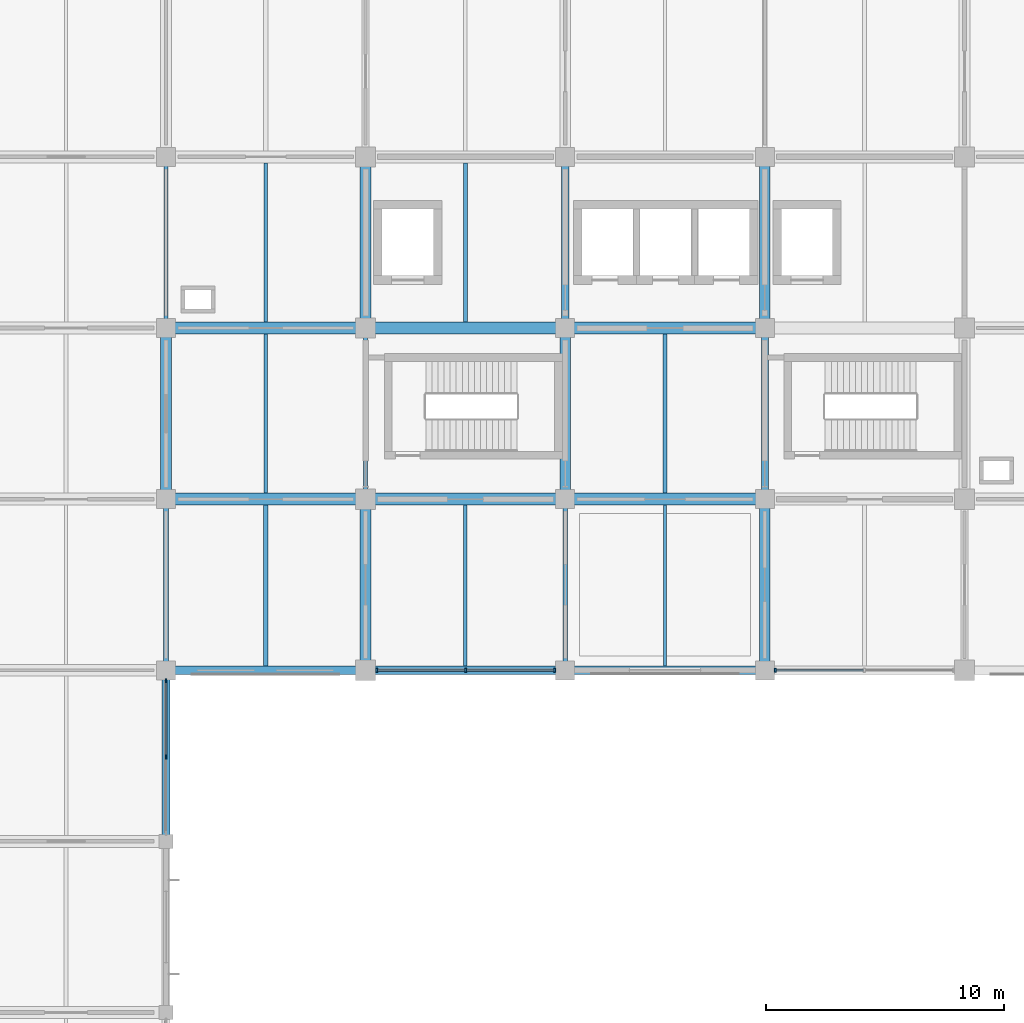
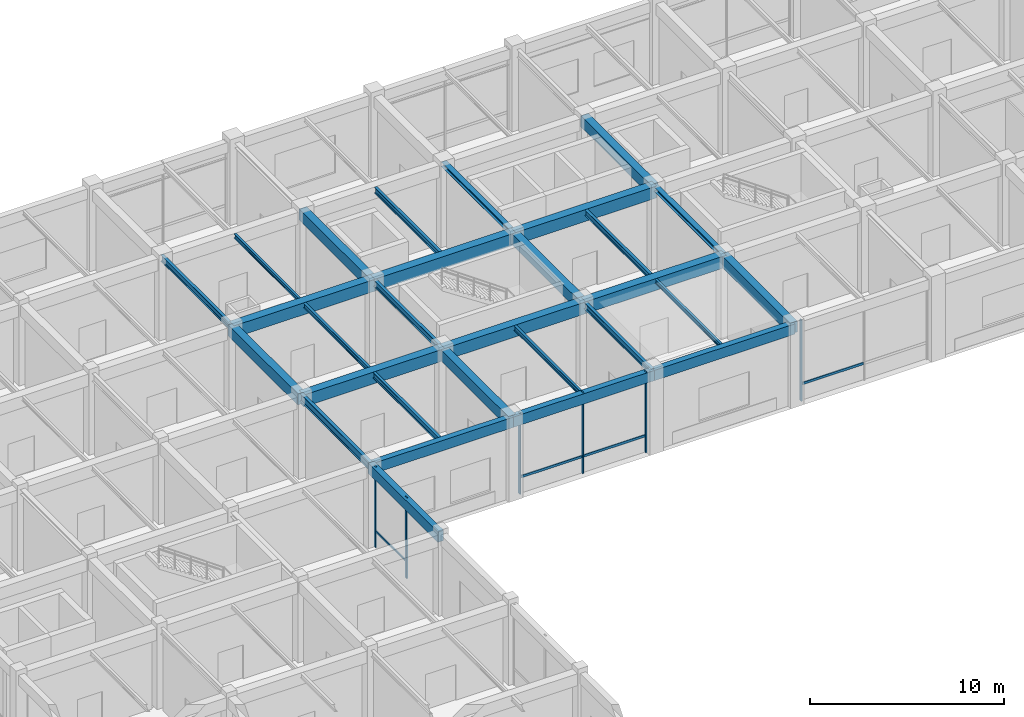
# One storey, part 8 of 38: 29 beams, 10 members, 3 elements without a shape of their own.
"""IFC4 building model written with IfcOpenShell, lengths in metres."""

from ifc_helpers import new_model, si_unit, derived_unit, direction, frame, origin, origin_2d, place, context, subcontext, project, spatial, rectangle, i_section, extrude, material, material_profile, profile_set, type_object, element, aggregate, save


model = new_model("IFC4")

# Units and contexts
model_context = context("Model", 3, precision=1e-05, world=origin(), true_north=direction((0.0, 1.0)))
body_context = subcontext(model_context, "Body", "Model", "MODEL_VIEW")
ifc_project = project(units=[si_unit("LENGTHUNIT", "METRE"), si_unit("AREAUNIT", "SQUARE_METRE"), si_unit("VOLUMEUNIT", "CUBIC_METRE"), si_unit("PLANEANGLEUNIT", "RADIAN"), si_unit("MASSUNIT", "GRAM", prefix="KILO"), derived_unit("THERMALTRANSMITTANCEUNIT", [(si_unit("MASSUNIT", "GRAM", prefix="KILO"), 1), (si_unit("TIMEUNIT", "SECOND"), -3), (si_unit("THERMODYNAMICTEMPERATUREUNIT", "KELVIN"), -1)])], contexts=[model_context])

# Site, building, storey
site_placement = place(None, origin())
site = spatial("IfcSite", under=ifc_project, at=site_placement, CompositionType="ELEMENT")
building_placement = place(site_placement, origin())
building = spatial("IfcBuilding", under=site, at=building_placement, Name="Veldstrom Oceanarium and Marine Research Institute", CompositionType="ELEMENT")
storey_placement = place(building_placement, frame((0.0, 0.0, 11.39990234375)))
storey = spatial("IfcBuildingStorey", under=building, at=storey_placement, Name="L02", CompositionType="ELEMENT", Elevation=11.39990234375)

# Curtain wall, members
ifc_material_1 = material(Name="Anodised Aluminium Framing", Category="aluminium")
curtain_wall_type_1 = type_object("IfcCurtainWallType", Name="ARC-CW-CW06", PredefinedType="USERDEFINED", material=ifc_material_1)
curtain_wall_1_placement = place(storey_placement, origin())
curtain_wall_1 = element("IfcCurtainWall", 1, at=curtain_wall_1_placement, inside=storey, type_object=curtain_wall_type_1, Name="Curtain Wall CW06 CW-L02-029", ObjectType="Curtain wall", PredefinedType="USERDEFINED")
ifc_material_2 = material(Name="Anodised Aluminium Framing", Category="aluminium")
ifc_material_profile_1 = material_profile(ifc_material_2, rectangle(XDim=0.074951171875, YDim=0.179931640625, at=origin_2d()), Name="ALU-MUL-75x180")
ifc_profile_set_1 = profile_set([ifc_material_profile_1], Name="Anodised Aluminium Framing")
member_type_1 = type_object("IfcMemberType", Name="ARC-MUL-ML1", PredefinedType="MULLION", material=ifc_profile_set_1)
member_1_placement = place(storey_placement, frame((67.199951171875, 39.550048828125, 0.0), z_axis=(0.0, 0.0, 1.0), x_axis=(1.0, 0.0, 0.0)))
member_1 = element("IfcMember", 2, at=member_1_placement, type_object=member_type_1, Name="Curtain Wall Mullion CW-L02-029-MUL-2", PredefinedType="MULLION", context=body_context, shape_type="SweptSolid", body=[
    extrude(rectangle(XDim=0.074951171875, YDim=0.179931640625, at=origin_2d()), origin(), (0.0, 0.0, 1.0), 5.10009765625),
])
member_2_placement = place(storey_placement, frame((67.199951171875, 42.760009765625, 0.0), z_axis=(0.0, 0.0, 1.0), x_axis=(1.0, 0.0, 0.0)))
member_2 = element("IfcMember", 3, at=member_2_placement, type_object=member_type_1, Name="Curtain Wall Mullion CW-L02-029-MUL-3", PredefinedType="MULLION", context=body_context, shape_type="SweptSolid", body=[
    extrude(rectangle(XDim=0.074951171875, YDim=0.179931640625, at=origin_2d()), origin(), (0.0, 0.0, 1.0), 5.10009765625),
])

ifc_material_3 = material(Name="Anodised Aluminium Framing", Category="aluminium")
curtain_wall_type_2 = type_object("IfcCurtainWallType", Name="ARC-CW-CW02", PredefinedType="USERDEFINED", material=ifc_material_3)
curtain_wall_2_placement = place(storey_placement, origin())
curtain_wall_2 = element("IfcCurtainWall", 4, at=curtain_wall_2_placement, inside=storey, type_object=curtain_wall_type_2, Name="Curtain Wall CW02 CW-L02-031", ObjectType="Curtain wall", PredefinedType="USERDEFINED")
member_3_placement = place(storey_placement, frame((76.06494140625, 43.199951171875, 0.0), z_axis=(0.0, 0.0, 1.0), x_axis=(1.0, 0.0, 0.0)))
member_3 = element("IfcMember", 5, at=member_3_placement, type_object=member_type_1, Name="Curtain Wall Mullion CW-L02-031-MUL-1", PredefinedType="MULLION", context=body_context, shape_type="SweptSolid", body=[
    extrude(rectangle(XDim=0.074951171875, YDim=0.179931640625, at=origin_2d()), origin(), (0.0, 0.0, 1.0), 5.10009765625),
])
member_4_placement = place(storey_placement, frame((79.8125, 43.199951171875, 0.0), z_axis=(0.0, 0.0, 1.0), x_axis=(1.0, 0.0, 0.0)))
member_4 = element("IfcMember", 6, at=member_4_placement, type_object=member_type_1, Name="Curtain Wall Mullion CW-L02-031-MUL-2", PredefinedType="MULLION", context=body_context, shape_type="SweptSolid", body=[
    extrude(rectangle(XDim=0.074951171875, YDim=0.179931640625, at=origin_2d()), origin(), (0.0, 0.0, 1.0), 5.10009765625),
])
member_5_placement = place(storey_placement, frame((83.56005859375, 43.199951171875, 0.0), z_axis=(0.0, 0.0, 1.0), x_axis=(1.0, 0.0, 0.0)))
member_5 = element("IfcMember", 7, at=member_5_placement, type_object=member_type_1, Name="Curtain Wall Mullion CW-L02-031-MUL-3", PredefinedType="MULLION", context=body_context, shape_type="SweptSolid", body=[
    extrude(rectangle(XDim=0.074951171875, YDim=0.179931640625, at=origin_2d()), origin(), (0.0, 0.0, 1.0), 5.10009765625),
])

# Curtain wall, member
curtain_wall_3_placement = place(storey_placement, origin())
curtain_wall_3 = element("IfcCurtainWall", 8, at=curtain_wall_3_placement, inside=storey, type_object=curtain_wall_type_2, Name="Curtain Wall CW02 CW-L02-033", ObjectType="Curtain wall", PredefinedType="USERDEFINED")
member_6_placement = place(storey_placement, frame((92.840087890625, 43.199951171875, 0.0), z_axis=(0.0, 0.0, 1.0), x_axis=(1.0, 0.0, 0.0)))
member_6 = element("IfcMember", 9, at=member_6_placement, type_object=member_type_1, Name="Curtain Wall Mullion CW-L02-033-MUL-1", PredefinedType="MULLION", context=body_context, shape_type="SweptSolid", body=[
    extrude(rectangle(XDim=0.074951171875, YDim=0.179931640625, at=origin_2d()), origin(), (0.0, 0.0, 1.0), 5.10009765625),
])

# Member
ifc_material_4 = material(Name="Anodised Aluminium Framing", Category="aluminium")
ifc_material_profile_2 = material_profile(ifc_material_4, rectangle(XDim=0.074951171875, YDim=0.14990234375, at=origin_2d()), Name="ALU-TRN-75x150")
ifc_profile_set_2 = profile_set([ifc_material_profile_2], Name="Anodised Aluminium Framing")
member_type_2 = type_object("IfcMemberType", Name="ARC-TRN-TR1", PredefinedType="USERDEFINED", material=ifc_profile_set_2)
member_7_placement = place(storey_placement, frame((76.10498046875, 43.199951171875, 1.050048828125), z_axis=(1.0, 0.0, 0.0), x_axis=(0.0, 1.0, 0.0)))
member_7 = element("IfcMember", 10, at=member_7_placement, type_object=member_type_2, Name="Curtain Wall Transom CW-L02-031-TRN-1", ObjectType="Transom", PredefinedType="USERDEFINED", context=body_context, shape_type="SweptSolid", body=[
    extrude(rectangle(XDim=0.074951171875, YDim=0.14990234375, at=origin_2d()), origin(), (0.0, 0.0, 1.0), 3.66748046875),
])

member_8_placement = place(storey_placement, frame((79.8525390625, 43.199951171875, 1.050048828125), z_axis=(1.0, 0.0, 0.0), x_axis=(0.0, 1.0, 0.0)))
member_8 = element("IfcMember", 11, at=member_8_placement, type_object=member_type_2, Name="Curtain Wall Transom CW-L02-031-TRN-2", ObjectType="Transom", PredefinedType="USERDEFINED", context=body_context, shape_type="SweptSolid", body=[
    extrude(rectangle(XDim=0.074951171875, YDim=0.14990234375, at=origin_2d()), origin(), (0.0, 0.0, 1.0), 3.66748046875),
])

aggregate(curtain_wall_2, [member_3, member_4, member_5, member_7, member_8])

member_9_placement = place(storey_placement, frame((92.8798828125, 43.199951171875, 1.050048828125), z_axis=(1.0, 0.0, 0.0), x_axis=(0.0, 1.0, 0.0)))
member_9 = element("IfcMember", 12, at=member_9_placement, type_object=member_type_2, Name="Curtain Wall Transom CW-L02-033-TRN-1", ObjectType="Transom", PredefinedType="USERDEFINED", context=body_context, shape_type="SweptSolid", body=[
    extrude(rectangle(XDim=0.074951171875, YDim=0.14990234375, at=origin_2d()), origin(), (0.0, 0.0, 1.0), 3.667724609375),
])

aggregate(curtain_wall_3, [member_6, member_9])

ifc_material_5 = material(Name="Anodised Aluminium Framing", Category="aluminium")
ifc_material_profile_3 = material_profile(ifc_material_5, rectangle(XDim=0.06494140625, YDim=0.1201171875, at=origin_2d()), Name="ALU-TRN-65x120")
ifc_profile_set_3 = profile_set([ifc_material_profile_3], Name="Anodised Aluminium Framing")
member_type_3 = type_object("IfcMemberType", Name="ARC-TRN-TR2", PredefinedType="USERDEFINED", material=ifc_profile_set_3)
member_10_placement = place(storey_placement, frame((67.199951171875, 39.590087890625, 1.050048828125), z_axis=(0.0, 1.0, 0.0), x_axis=(-1.0, 0.0, 0.0)))
member_10 = element("IfcMember", 13, at=member_10_placement, type_object=member_type_3, Name="Curtain Wall Transom CW-L02-029-TRN-2", ObjectType="Transom", PredefinedType="USERDEFINED", context=body_context, shape_type="SweptSolid", body=[
    extrude(rectangle(XDim=0.06494140625, YDim=0.1201171875, at=origin_2d()), origin(), (0.0, 0.0, 1.0), 3.1298828125),
])

aggregate(curtain_wall_1, [member_1, member_2, member_10])

# Beams
ifc_material_6 = material(Name="Concrete C40/50", Category="concrete")
ifc_material_profile_4 = material_profile(ifc_material_6, rectangle(XDim=0.5, YDim=0.75, at=origin_2d()), Name="RC-BM-500x750")
ifc_profile_set_4 = profile_set([ifc_material_profile_4], Name="Concrete C40/50")
beam_type_1 = type_object("IfcBeamType", Name="STR-BM-B03", PredefinedType="BEAM", material=ifc_profile_set_4)
for number, where, z_axis, x_axis, name in (
    (14, (67.199951171875, 50.39990234375, 4.72021484375), (1.0, 0.0, 0.0), (0.0, 1.0, 0.0), "Primary Beam B03 L02-1553"),
    (15, (67.199951171875, 57.60009765625, 4.72021484375), (1.0, 0.0, 0.0), (0.0, 1.0, 0.0), "Primary Beam B03 L02-1554"),
):
    element("IfcBeam", number, at=place(storey_placement, frame(where, z_axis=z_axis, x_axis=x_axis)), inside=storey, type_object=beam_type_1, Name=name, PredefinedType="BEAM", context=body_context, shape_type="SweptSolid", body=[
        extrude(rectangle(XDim=0.5, YDim=0.75, at=origin_2d()), origin(), (0.0, 0.0, 1.0), 8.400146484375),
    ])
for number, where, z_axis, x_axis, name in (
    (16, (75.60009765625, 50.39990234375, 4.72021484375), (1.0, 0.0, 0.0), (0.0, 1.0, 0.0), "Primary Beam B03 L02-1558"),
    (17, (75.60009765625, 57.60009765625, 4.72021484375), (1.0, 0.0, 0.0), (0.0, 1.0, 0.0), "Primary Beam B03 L02-1559"),
    (18, (84.0, 50.39990234375, 4.72021484375), (1.0, 0.0, 0.0), (0.0, 1.0, 0.0), "Primary Beam B03 L02-1563"),
    (19, (84.0, 57.60009765625, 4.72021484375), (1.0, 0.0, 0.0), (0.0, 1.0, 0.0), "Primary Beam B03 L02-1564"),
):
    element("IfcBeam", number, at=place(storey_placement, frame(where, z_axis=z_axis, x_axis=x_axis)), inside=storey, type_object=beam_type_1, Name=name, PredefinedType="BEAM", context=body_context, shape_type="SweptSolid", body=[
        extrude(rectangle(XDim=0.5, YDim=0.75, at=origin_2d()), origin(), (0.0, 0.0, 1.0), 8.39990234375),
    ])
ifc_material_7 = material(Name="Concrete C40/50", Category="concrete")
ifc_material_profile_5 = material_profile(ifc_material_7, rectangle(XDim=0.449951171875, YDim=0.699951171875, at=origin_2d()), Name="RC-BM-450x700")
ifc_profile_set_5 = profile_set([ifc_material_profile_5], Name="Concrete C40/50")
beam_type_2 = type_object("IfcBeamType", Name="STR-BM-B04", PredefinedType="BEAM", material=ifc_profile_set_5)
beam_1_placement = place(storey_placement, frame((67.199951171875, 50.39990234375, 4.7451171875), z_axis=(0.0, 1.0, 0.0), x_axis=(-1.0, 0.0, 0.0)))
element("IfcBeam", 20, at=beam_1_placement, inside=storey, type_object=beam_type_2, Name="Primary Beam B04 L02-1682", PredefinedType="BEAM", context=body_context, shape_type="SweptSolid", body=[
    extrude(rectangle(XDim=0.449951171875, YDim=0.699951171875, at=origin_2d()), origin(), (0.0, 0.0, 1.0), 7.2001953125),
])
for number, where, z_axis, x_axis, name in (
    (21, (75.60009765625, 43.199951171875, 4.7451171875), (0.0, 1.0, 0.0), (-1.0, 0.0, 0.0), "Primary Beam B04 L02-1685"),
    (22, (75.60009765625, 57.60009765625, 4.7451171875), (0.0, 1.0, 0.0), (-1.0, 0.0, 0.0), "Primary Beam B04 L02-1687"),
):
    element("IfcBeam", number, at=place(storey_placement, frame(where, z_axis=z_axis, x_axis=x_axis)), inside=storey, type_object=beam_type_2, Name=name, PredefinedType="BEAM", context=body_context, shape_type="SweptSolid", body=[
        extrude(rectangle(XDim=0.449951171875, YDim=0.699951171875, at=origin_2d()), origin(), (0.0, 0.0, 1.0), 7.199951171875),
    ])
beam_2_placement = place(storey_placement, frame((84.0, 50.39990234375, 4.7451171875), z_axis=(0.0, 1.0, 0.0), x_axis=(-1.0, 0.0, 0.0)))
element("IfcBeam", 23, at=beam_2_placement, inside=storey, type_object=beam_type_2, Name="Primary Beam B04 L02-1690", PredefinedType="BEAM", context=body_context, shape_type="SweptSolid", body=[
    extrude(rectangle(XDim=0.449951171875, YDim=0.699951171875, at=origin_2d()), origin(), (0.0, 0.0, 1.0), 7.2001953125),
])
for number, where, z_axis, x_axis, name in (
    (24, (92.39990234375, 43.199951171875, 4.7451171875), (0.0, 1.0, 0.0), (-1.0, 0.0, 0.0), "Primary Beam B04 L02-1693"),
    (25, (92.39990234375, 57.60009765625, 4.7451171875), (0.0, 1.0, 0.0), (-1.0, 0.0, 0.0), "Primary Beam B04 L02-1695"),
):
    element("IfcBeam", number, at=place(storey_placement, frame(where, z_axis=z_axis, x_axis=x_axis)), inside=storey, type_object=beam_type_2, Name=name, PredefinedType="BEAM", context=body_context, shape_type="SweptSolid", body=[
        extrude(rectangle(XDim=0.449951171875, YDim=0.699951171875, at=origin_2d()), origin(), (0.0, 0.0, 1.0), 7.199951171875),
    ])
ifc_material_8 = material(Name="Steel S355JR", Category="steel")
ifc_material_profile_6 = material_profile(ifc_material_8, i_section(OverallWidth=0.300048828125, OverallDepth=0.2900390625, WebThickness=0.008544921875, FlangeThickness=0.013916015625, FilletRadius=0.027099609375, at=origin_2d()), Name="HEA 300")
ifc_profile_set_6 = profile_set([ifc_material_profile_6], Name="Steel S355JR")
beam_type_3 = type_object("IfcBeamType", Name="STR-BM-SB10", PredefinedType="BEAM", material=ifc_profile_set_6)
beam_3_placement = place(storey_placement, frame((84.0, 57.60009765625, 4.9501953125), z_axis=(0.0, 1.0, 0.0), x_axis=(-1.0, 0.0, 0.0)))
element("IfcBeam", 26, at=beam_3_placement, inside=storey, type_object=beam_type_3, Name="Steel Tie Beam SB10 L02-1691", PredefinedType="BEAM", context=body_context, shape_type="SweptSolid", body=[
    extrude(i_section(OverallWidth=0.300048828125, OverallDepth=0.2900390625, WebThickness=0.008544921875, FlangeThickness=0.013916015625, FilletRadius=0.027099609375, at=origin_2d()), origin(), (0.0, 0.0, 1.0), 7.199951171875),
])
beam_4_placement = place(storey_placement, frame((92.39990234375, 50.39990234375, 4.9501953125), z_axis=(0.0, 1.0, 0.0), x_axis=(-1.0, 0.0, 0.0)))
element("IfcBeam", 27, at=beam_4_placement, inside=storey, type_object=beam_type_3, Name="Steel Tie Beam SB10 L02-1694", PredefinedType="BEAM", context=body_context, shape_type="SweptSolid", body=[
    extrude(i_section(OverallWidth=0.300048828125, OverallDepth=0.2900390625, WebThickness=0.008544921875, FlangeThickness=0.013916015625, FilletRadius=0.027099609375, at=origin_2d()), origin(), (0.0, 0.0, 1.0), 7.2001953125),
])
ifc_material_9 = material(Name="Steel S355JR", Category="steel")
ifc_material_profile_7 = material_profile(ifc_material_9, i_section(OverallWidth=0.199951171875, OverallDepth=0.5, WebThickness=0.01025390625, FlangeThickness=0.01611328125, FilletRadius=0.02099609375, at=origin_2d()), Name="IPE 500")
ifc_profile_set_7 = profile_set([ifc_material_profile_7], Name="Steel S355JR")
beam_type_4 = type_object("IfcBeamType", Name="STR-BM-SB6", PredefinedType="BEAM", material=ifc_profile_set_7)
beam_5_placement = place(storey_placement, frame((67.199951171875, 43.199951171875, 4.84521484375), z_axis=(0.0, 1.0, 0.0), x_axis=(-1.0, 0.0, 0.0)))
element("IfcBeam", 28, at=beam_5_placement, inside=storey, type_object=beam_type_4, Name="Steel Tie Beam SB6 L02-1681", PredefinedType="BEAM", context=body_context, shape_type="SweptSolid", body=[
    extrude(i_section(OverallWidth=0.199951171875, OverallDepth=0.5, WebThickness=0.01025390625, FlangeThickness=0.01611328125, FilletRadius=0.02099609375, at=origin_2d()), origin(), (0.0, 0.0, 1.0), 7.199951171875),
])
ifc_material_10 = material(Name="Steel S355JR", Category="steel")
ifc_material_profile_8 = material_profile(ifc_material_10, i_section(OverallWidth=0.179931640625, OverallDepth=0.39990234375, WebThickness=0.008544921875, FlangeThickness=0.013427734375, FilletRadius=0.02099609375, at=origin_2d()), Name="IPE 400")
ifc_profile_set_8 = profile_set([ifc_material_profile_8], Name="Steel S355JR")
beam_type_5 = type_object("IfcBeamType", Name="STR-BM-SB8", PredefinedType="BEAM", material=ifc_profile_set_8)
beam_6_placement = place(storey_placement, frame((67.199951171875, 57.60009765625, 4.89501953125), z_axis=(0.0, 1.0, 0.0), x_axis=(-1.0, 0.0, 0.0)))
element("IfcBeam", 29, at=beam_6_placement, inside=storey, type_object=beam_type_5, Name="Steel Tie Beam SB8 L02-1683", PredefinedType="BEAM", context=body_context, shape_type="SweptSolid", body=[
    extrude(i_section(OverallWidth=0.179931640625, OverallDepth=0.39990234375, WebThickness=0.008544921875, FlangeThickness=0.013427734375, FilletRadius=0.02099609375, at=origin_2d()), origin(), (0.0, 0.0, 1.0), 7.199951171875),
])
beam_7_placement = place(storey_placement, frame((75.60009765625, 50.39990234375, 4.89501953125), z_axis=(0.0, 1.0, 0.0), x_axis=(-1.0, 0.0, 0.0)))
element("IfcBeam", 30, at=beam_7_placement, inside=storey, type_object=beam_type_5, Name="Steel Tie Beam SB8 L02-1686", PredefinedType="BEAM", context=body_context, shape_type="SweptSolid", body=[
    extrude(i_section(OverallWidth=0.179931640625, OverallDepth=0.39990234375, WebThickness=0.008544921875, FlangeThickness=0.013427734375, FilletRadius=0.02099609375, at=origin_2d()), origin(), (0.0, 0.0, 1.0), 7.2001953125),
])
beam_8_placement = place(storey_placement, frame((84.0, 43.199951171875, 4.89501953125), z_axis=(0.0, 1.0, 0.0), x_axis=(-1.0, 0.0, 0.0)))
element("IfcBeam", 31, at=beam_8_placement, inside=storey, type_object=beam_type_5, Name="Steel Tie Beam SB8 L02-1689", PredefinedType="BEAM", context=body_context, shape_type="SweptSolid", body=[
    extrude(i_section(OverallWidth=0.179931640625, OverallDepth=0.39990234375, WebThickness=0.008544921875, FlangeThickness=0.013427734375, FilletRadius=0.02099609375, at=origin_2d()), origin(), (0.0, 0.0, 1.0), 7.199951171875),
])
ifc_material_11 = material(Name="Steel S355JR", Category="steel")
ifc_material_profile_9 = material_profile(ifc_material_11, i_section(OverallWidth=0.169921875, OverallDepth=0.360107421875, WebThickness=0.008056640625, FlangeThickness=0.0126953125, FilletRadius=0.01806640625, at=origin_2d()), Name="IPE 360")
ifc_profile_set_9 = profile_set([ifc_material_profile_9], Name="Steel S355JR")
beam_type_6 = type_object("IfcBeamType", Name="STR-JST-SJ1", PredefinedType="JOIST", material=ifc_profile_set_9)
beam_9_placement = place(storey_placement, frame((71.39990234375, 43.375, 4.9150390625), z_axis=(0.0, 1.0, 0.0), x_axis=(-1.0, 0.0, 0.0)))
element("IfcBeam", 32, at=beam_9_placement, inside=storey, type_object=beam_type_6, Name="Secondary Joist SJ1 L02-1790", PredefinedType="JOIST", context=body_context, shape_type="SweptSolid", body=[
    extrude(i_section(OverallWidth=0.169921875, OverallDepth=0.360107421875, WebThickness=0.008056640625, FlangeThickness=0.0126953125, FilletRadius=0.01806640625, at=origin_2d()), origin(), (0.0, 0.0, 1.0), 6.77490234375),
])
beam_10_placement = place(storey_placement, frame((79.800048828125, 57.85009765625, 4.9150390625), z_axis=(0.0, 1.0, 0.0), x_axis=(-1.0, 0.0, 0.0)))
element("IfcBeam", 33, at=beam_10_placement, inside=storey, type_object=beam_type_6, Name="Secondary Joist SJ1 L02-1795", PredefinedType="JOIST", context=body_context, shape_type="SweptSolid", body=[
    extrude(i_section(OverallWidth=0.169921875, OverallDepth=0.360107421875, WebThickness=0.008056640625, FlangeThickness=0.0126953125, FilletRadius=0.01806640625, at=origin_2d()), origin(), (0.0, 0.0, 1.0), 6.699951171875),
])
beam_11_placement = place(storey_placement, frame((88.199951171875, 50.64990234375, 4.9150390625), z_axis=(0.0, 1.0, 0.0), x_axis=(-1.0, 0.0, 0.0)))
element("IfcBeam", 34, at=beam_11_placement, inside=storey, type_object=beam_type_6, Name="Secondary Joist SJ1 L02-1798", PredefinedType="JOIST", context=body_context, shape_type="SweptSolid", body=[
    extrude(i_section(OverallWidth=0.169921875, OverallDepth=0.360107421875, WebThickness=0.008056640625, FlangeThickness=0.0126953125, FilletRadius=0.01806640625, at=origin_2d()), origin(), (0.0, 0.0, 1.0), 6.7001953125),
])
ifc_material_12 = material(Name="Steel S355JR", Category="steel")
ifc_material_profile_10 = material_profile(ifc_material_12, i_section(OverallWidth=0.14990234375, OverallDepth=0.300048828125, WebThickness=0.007080078125, FlangeThickness=0.0107421875, FilletRadius=0.014892578125, at=origin_2d()), Name="IPE 300")
ifc_profile_set_10 = profile_set([ifc_material_profile_10], Name="Steel S355JR")
beam_type_7 = type_object("IfcBeamType", Name="STR-JST-SJ2", PredefinedType="JOIST", material=ifc_profile_set_10)
beam_12_placement = place(storey_placement, frame((71.39990234375, 50.64990234375, 4.945068359375), z_axis=(0.0, 1.0, 0.0), x_axis=(-1.0, 0.0, 0.0)))
element("IfcBeam", 35, at=beam_12_placement, inside=storey, type_object=beam_type_7, Name="Secondary Joist SJ2 L02-1791", PredefinedType="JOIST", context=body_context, shape_type="SweptSolid", body=[
    extrude(i_section(OverallWidth=0.14990234375, OverallDepth=0.300048828125, WebThickness=0.007080078125, FlangeThickness=0.0107421875, FilletRadius=0.014892578125, at=origin_2d()), origin(), (0.0, 0.0, 1.0), 6.7001953125),
])
beam_13_placement = place(storey_placement, frame((79.800048828125, 43.375, 4.945068359375), z_axis=(0.0, 1.0, 0.0), x_axis=(-1.0, 0.0, 0.0)))
element("IfcBeam", 36, at=beam_13_placement, inside=storey, type_object=beam_type_7, Name="Secondary Joist SJ2 L02-1794", PredefinedType="JOIST", context=body_context, shape_type="SweptSolid", body=[
    extrude(i_section(OverallWidth=0.14990234375, OverallDepth=0.300048828125, WebThickness=0.007080078125, FlangeThickness=0.0107421875, FilletRadius=0.014892578125, at=origin_2d()), origin(), (0.0, 0.0, 1.0), 6.77490234375),
])
ifc_material_13 = material(Name="Steel S355JR", Category="steel")
ifc_material_profile_11 = material_profile(ifc_material_13, i_section(OverallWidth=0.135009765625, OverallDepth=0.27001953125, WebThickness=0.006591796875, FlangeThickness=0.01025390625, FilletRadius=0.014892578125, at=origin_2d()), Name="IPE 270")
ifc_profile_set_11 = profile_set([ifc_material_profile_11], Name="Steel S355JR")
beam_type_8 = type_object("IfcBeamType", Name="STR-JST-SJ3", PredefinedType="JOIST", material=ifc_profile_set_11)
beam_14_placement = place(storey_placement, frame((71.39990234375, 57.85009765625, 4.960205078125), z_axis=(0.0, 1.0, 0.0), x_axis=(-1.0, 0.0, 0.0)))
element("IfcBeam", 37, at=beam_14_placement, inside=storey, type_object=beam_type_8, Name="Secondary Joist SJ3 L02-1792", PredefinedType="JOIST", context=body_context, shape_type="SweptSolid", body=[
    extrude(i_section(OverallWidth=0.135009765625, OverallDepth=0.27001953125, WebThickness=0.006591796875, FlangeThickness=0.01025390625, FilletRadius=0.014892578125, at=origin_2d()), origin(), (0.0, 0.0, 1.0), 6.699951171875),
])
beam_15_placement = place(storey_placement, frame((88.199951171875, 43.375, 4.960205078125), z_axis=(0.0, 1.0, 0.0), x_axis=(-1.0, 0.0, 0.0)))
element("IfcBeam", 38, at=beam_15_placement, inside=storey, type_object=beam_type_8, Name="Secondary Joist SJ3 L02-1797", PredefinedType="JOIST", context=body_context, shape_type="SweptSolid", body=[
    extrude(i_section(OverallWidth=0.135009765625, OverallDepth=0.27001953125, WebThickness=0.006591796875, FlangeThickness=0.01025390625, FilletRadius=0.014892578125, at=origin_2d()), origin(), (0.0, 0.0, 1.0), 6.77490234375),
])
ifc_material_14 = material(Name="Concrete C40/50", Category="concrete")
ifc_material_profile_12 = material_profile(ifc_material_14, rectangle(XDim=0.35009765625, YDim=0.64990234375, at=origin_2d()), Name="RC-SPN-350x650")
ifc_profile_set_12 = profile_set([ifc_material_profile_12], Name="Concrete C40/50")
beam_type_9 = type_object("IfcBeamType", Name="STR-SPN-SP1", PredefinedType="SPANDREL", material=ifc_profile_set_12)
beam_16_placement = place(storey_placement, frame((67.199951171875, 43.199951171875, 4.77001953125), z_axis=(1.0, 0.0, 0.0), x_axis=(0.0, 1.0, 0.0)))
element("IfcBeam", 39, at=beam_16_placement, inside=storey, type_object=beam_type_9, Name="Perimeter Spandrel SPB1 L02-1552", PredefinedType="SPANDREL", context=body_context, shape_type="SweptSolid", body=[
    extrude(rectangle(XDim=0.35009765625, YDim=0.64990234375, at=origin_2d()), origin(), (0.0, 0.0, 1.0), 8.400146484375),
])
for number, where, z_axis, x_axis, name in (
    (40, (75.60009765625, 43.199951171875, 4.77001953125), (1.0, 0.0, 0.0), (0.0, 1.0, 0.0), "Perimeter Spandrel SPB1 L02-1557"),
    (41, (84.0, 43.199951171875, 4.77001953125), (1.0, 0.0, 0.0), (0.0, 1.0, 0.0), "Perimeter Spandrel SPB1 L02-1562"),
):
    element("IfcBeam", number, at=place(storey_placement, frame(where, z_axis=z_axis, x_axis=x_axis)), inside=storey, type_object=beam_type_9, Name=name, PredefinedType="SPANDREL", context=body_context, shape_type="SweptSolid", body=[
        extrude(rectangle(XDim=0.35009765625, YDim=0.64990234375, at=origin_2d()), origin(), (0.0, 0.0, 1.0), 8.39990234375),
    ])
beam_17_placement = place(storey_placement, frame((67.199951171875, 36.0, 4.77001953125), z_axis=(0.0, 1.0, 0.0), x_axis=(-1.0, 0.0, 0.0)))
element("IfcBeam", 42, at=beam_17_placement, inside=storey, type_object=beam_type_9, Name="Perimeter Spandrel SPB1 L02-1680", PredefinedType="SPANDREL", context=body_context, shape_type="SweptSolid", body=[
    extrude(rectangle(XDim=0.35009765625, YDim=0.64990234375, at=origin_2d()), origin(), (0.0, 0.0, 1.0), 7.199951171875),
])

save(model, "model.ifc")
